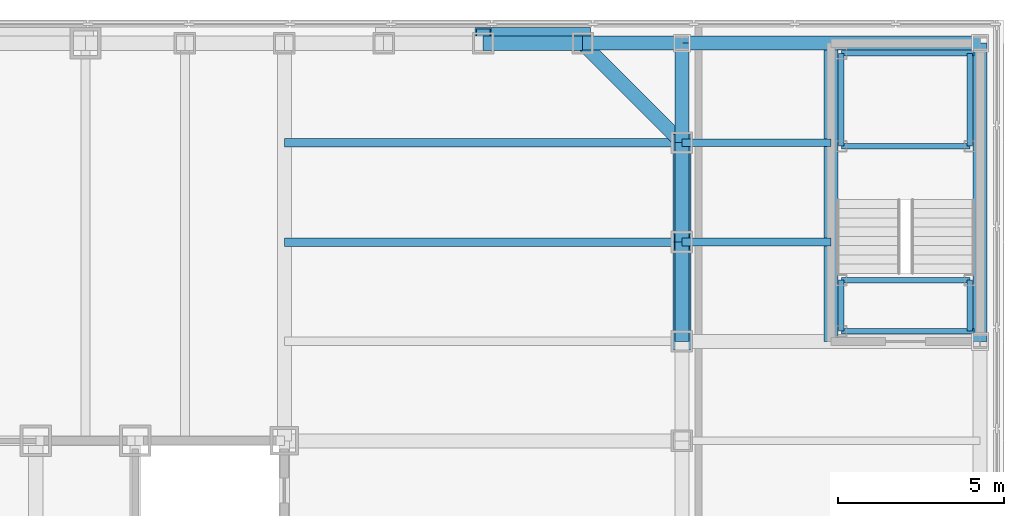
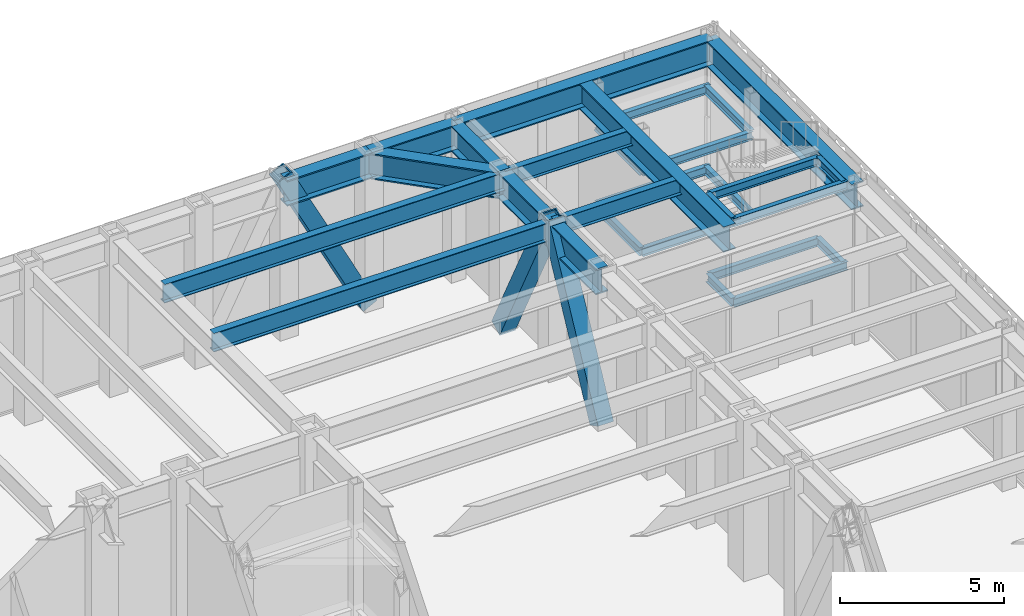
# One storey, part 8 of 32: 29 beams, 3 members.
"""IFC4 building model written with IfcOpenShell, lengths in metres."""

from ifc_helpers import new_model, si_unit, direction, frame, origin, origin_2d, place, context, subcontext, project, spatial, hollow_rectangle, i_section, extrude, material, material_profile, profile_set, type_object, element, save


model = new_model("IFC4")

# Units and contexts
model_context = context("Model", 3, precision=1e-05, world=origin(), true_north=direction((0.0, 1.0)))
body_context = subcontext(model_context, "Body", "Model", "MODEL_VIEW")
ifc_project = project(units=[si_unit("LENGTHUNIT", "METRE"), si_unit("AREAUNIT", "SQUARE_METRE"), si_unit("VOLUMEUNIT", "CUBIC_METRE"), si_unit("PLANEANGLEUNIT", "RADIAN"), si_unit("MASSUNIT", "GRAM", prefix="KILO")], contexts=[model_context])

# Site, building, storey
site_placement = place(None, origin())
site = spatial("IfcSite", under=ifc_project, at=site_placement, CompositionType="ELEMENT")
building_placement = place(site_placement, origin())
building = spatial("IfcBuilding", under=site, at=building_placement, Name="Chuquiago Exchange Tower", CompositionType="ELEMENT")
storey_placement = place(building_placement, frame((0.0, 0.0, 13.5)))
storey = spatial("IfcBuildingStorey", under=building, at=storey_placement, Name="L02", CompositionType="ELEMENT", Elevation=13.5)

# Beams
ifc_material_1 = material(Name="Steel ASTM A992", Category="steel")
ifc_material_profile_1 = material_profile(ifc_material_1, i_section(OverallWidth=0.256591796875, OverallDepth=0.693359375, WebThickness=0.014404296875, FlangeThickness=0.023681640625, at=origin_2d()), Name="W27X114")
ifc_profile_set_1 = profile_set([ifc_material_profile_1], Name="Steel ASTM A992")
beam_type_1 = type_object("IfcBeamType", Name="B9 W27X114", PredefinedType="BEAM", material=ifc_profile_set_1)
for number, where, z_axis, x_axis, name in (
    (1, (33.0, 39.0, 5.453369140625), (1.0, 0.0, 0.0), (0.0, 1.0, 0.0), "FB-L03-corner-33_39-45_39-0"),
    (2, (33.0, 42.0, 5.453369140625), (1.0, 0.0, 0.0), (0.0, 1.0, 0.0), "FB-L03-corner-33_42-45_42-0"),
):
    element("IfcBeam", number, at=place(storey_placement, frame(where, z_axis=z_axis, x_axis=x_axis)), inside=storey, type_object=beam_type_1, Name=name, PredefinedType="BEAM", context=body_context, shape_type="SweptSolid", body=[
        extrude(i_section(OverallWidth=0.256591796875, OverallDepth=0.693359375, WebThickness=0.014404296875, FlangeThickness=0.023681640625, at=origin_2d()), origin(), (0.0, 0.0, 1.0), 12.0),
    ])
ifc_material_2 = material(Name="Steel ASTM A992", Category="steel")
ifc_material_profile_2 = material_profile(ifc_material_2, i_section(OverallWidth=0.164794921875, OverallDepth=0.309814453125, WebThickness=0.005859375, FlangeThickness=0.009765625, at=origin_2d()), Name="W12X26")
ifc_profile_set_2 = profile_set([ifc_material_profile_2], Name="Steel ASTM A992")
beam_type_2 = type_object("IfcBeamType", Name="LS1 W12X26", PredefinedType="BEAM", material=ifc_profile_set_2)
for number, where, z_axis, x_axis, name in (
    (3, (49.81005859375, 41.889892578125, 1.14501953125), (0.0, 1.0, 0.0), (-1.0, 0.0, 0.0), "Stair PS4 L02 landing 1 stringer"),
    (4, (53.68994140625, 41.889892578125, 1.14501953125), (0.0, 1.0, 0.0), (-1.0, 0.0, 0.0), "Stair PS4 L02 landing 1 stringer"),
):
    element("IfcBeam", number, at=place(storey_placement, frame(where, z_axis=z_axis, x_axis=x_axis)), inside=storey, type_object=beam_type_2, Name=name, PredefinedType="BEAM", context=body_context, shape_type="SweptSolid", body=[
        extrude(i_section(OverallWidth=0.164794921875, OverallDepth=0.309814453125, WebThickness=0.005859375, FlangeThickness=0.009765625, at=origin_2d()), origin(), (0.0, 0.0, 1.0), 2.800048828125),
    ])
for number, where, z_axis, x_axis, name in (
    (5, (49.81005859375, 36.31005859375, 2.64501953125), (0.0, 1.0, 0.0), (-1.0, 0.0, 0.0), "Stair PS4 L02 landing 2 stringer"),
    (6, (53.68994140625, 36.31005859375, 2.64501953125), (0.0, 1.0, 0.0), (-1.0, 0.0, 0.0), "Stair PS4 L02 landing 2 stringer"),
):
    element("IfcBeam", number, at=place(storey_placement, frame(where, z_axis=z_axis, x_axis=x_axis)), inside=storey, type_object=beam_type_2, Name=name, PredefinedType="BEAM", context=body_context, shape_type="SweptSolid", body=[
        extrude(i_section(OverallWidth=0.164794921875, OverallDepth=0.309814453125, WebThickness=0.005859375, FlangeThickness=0.009765625, at=origin_2d()), origin(), (0.0, 0.0, 1.0), 1.5400390625),
    ])
for number, where, z_axis, x_axis, name in (
    (7, (49.81005859375, 41.889892578125, 4.14501953125), (0.0, 1.0, 0.0), (-1.0, 0.0, 0.0), "Stair PS4 L02 landing 3 stringer"),
    (8, (53.68994140625, 41.889892578125, 4.14501953125), (0.0, 1.0, 0.0), (-1.0, 0.0, 0.0), "Stair PS4 L02 landing 3 stringer"),
):
    element("IfcBeam", number, at=place(storey_placement, frame(where, z_axis=z_axis, x_axis=x_axis)), inside=storey, type_object=beam_type_2, Name=name, PredefinedType="BEAM", context=body_context, shape_type="SweptSolid", body=[
        extrude(i_section(OverallWidth=0.164794921875, OverallDepth=0.309814453125, WebThickness=0.005859375, FlangeThickness=0.009765625, at=origin_2d()), origin(), (0.0, 0.0, 1.0), 2.800048828125),
    ])
for number, where, z_axis, x_axis, name in (
    (9, (49.81005859375, 36.31005859375, 5.64501953125), (0.0, 1.0, 0.0), (-1.0, 0.0, 0.0), "Stair PS4 top landing stringer"),
    (10, (53.68994140625, 36.31005859375, 5.64501953125), (0.0, 1.0, 0.0), (-1.0, 0.0, 0.0), "Stair PS4 top landing stringer"),
):
    element("IfcBeam", number, at=place(storey_placement, frame(where, z_axis=z_axis, x_axis=x_axis)), inside=storey, type_object=beam_type_2, Name=name, PredefinedType="BEAM", context=body_context, shape_type="SweptSolid", body=[
        extrude(i_section(OverallWidth=0.164794921875, OverallDepth=0.309814453125, WebThickness=0.005859375, FlangeThickness=0.009765625, at=origin_2d()), origin(), (0.0, 0.0, 1.0), 1.5400390625),
    ])
ifc_material_3 = material(Name="Steel ASTM A992", Category="steel")
ifc_material_profile_3 = material_profile(ifc_material_3, i_section(OverallWidth=0.164794921875, OverallDepth=0.309814453125, WebThickness=0.005859375, FlangeThickness=0.009765625, at=origin_2d()), Name="W12X26")
ifc_profile_set_3 = profile_set([ifc_material_profile_3], Name="Steel ASTM A992")
beam_type_3 = type_object("IfcBeamType", Name="LT1 W12X26", PredefinedType="BEAM", material=ifc_profile_set_3)
beam_1_placement = place(storey_placement, frame((49.81005859375, 44.68994140625, 1.14501953125), z_axis=(1.0, 0.0, 0.0), x_axis=(0.0, 1.0, 0.0)))
element("IfcBeam", 11, at=beam_1_placement, inside=storey, type_object=beam_type_3, Name="Stair PS4 L02 landing 1 trimmer", PredefinedType="BEAM", context=body_context, shape_type="SweptSolid", body=[
    extrude(i_section(OverallWidth=0.164794921875, OverallDepth=0.309814453125, WebThickness=0.005859375, FlangeThickness=0.009765625, at=origin_2d()), origin(), (0.0, 0.0, 1.0), 4.004150390625),
])
for number, where, z_axis, x_axis, name in (
    (12, (49.81005859375, 41.889892578125, 1.14501953125), (1.0, 0.0, 0.0), (0.0, 1.0, 0.0), "Stair PS4 L02 landing 1 trimmer"),
    (13, (49.81005859375, 37.85009765625, 2.64501953125), (1.0, 0.0, 0.0), (0.0, 1.0, 0.0), "Stair PS4 L02 landing 2 trimmer"),
):
    element("IfcBeam", number, at=place(storey_placement, frame(where, z_axis=z_axis, x_axis=x_axis)), inside=storey, type_object=beam_type_3, Name=name, PredefinedType="BEAM", context=body_context, shape_type="SweptSolid", body=[
        extrude(i_section(OverallWidth=0.164794921875, OverallDepth=0.309814453125, WebThickness=0.005859375, FlangeThickness=0.009765625, at=origin_2d()), origin(), (0.0, 0.0, 1.0), 3.8798828125),
    ])
for number, where, z_axis, x_axis, name in (
    (14, (49.81005859375, 36.31005859375, 2.64501953125), (1.0, 0.0, 0.0), (0.0, 1.0, 0.0), "Stair PS4 L02 landing 2 trimmer"),
    (15, (49.81005859375, 44.68994140625, 4.14501953125), (1.0, 0.0, 0.0), (0.0, 1.0, 0.0), "Stair PS4 L02 landing 3 trimmer"),
):
    element("IfcBeam", number, at=place(storey_placement, frame(where, z_axis=z_axis, x_axis=x_axis)), inside=storey, type_object=beam_type_3, Name=name, PredefinedType="BEAM", context=body_context, shape_type="SweptSolid", body=[
        extrude(i_section(OverallWidth=0.164794921875, OverallDepth=0.309814453125, WebThickness=0.005859375, FlangeThickness=0.009765625, at=origin_2d()), origin(), (0.0, 0.0, 1.0), 4.004150390625),
    ])
for number, where, z_axis, x_axis, name in (
    (16, (49.81005859375, 41.889892578125, 4.14501953125), (1.0, 0.0, 0.0), (0.0, 1.0, 0.0), "Stair PS4 L02 landing 3 trimmer"),
    (17, (49.81005859375, 37.85009765625, 5.64501953125), (1.0, 0.0, 0.0), (0.0, 1.0, 0.0), "Stair PS4 top landing trimmer"),
):
    element("IfcBeam", number, at=place(storey_placement, frame(where, z_axis=z_axis, x_axis=x_axis)), inside=storey, type_object=beam_type_3, Name=name, PredefinedType="BEAM", context=body_context, shape_type="SweptSolid", body=[
        extrude(i_section(OverallWidth=0.164794921875, OverallDepth=0.309814453125, WebThickness=0.005859375, FlangeThickness=0.009765625, at=origin_2d()), origin(), (0.0, 0.0, 1.0), 3.8798828125),
    ])
beam_2_placement = place(storey_placement, frame((49.81005859375, 36.31005859375, 5.64501953125), z_axis=(1.0, 0.0, 0.0), x_axis=(0.0, 1.0, 0.0)))
element("IfcBeam", 18, at=beam_2_placement, inside=storey, type_object=beam_type_3, Name="Stair PS4 top landing trimmer", PredefinedType="BEAM", context=body_context, shape_type="SweptSolid", body=[
    extrude(i_section(OverallWidth=0.164794921875, OverallDepth=0.309814453125, WebThickness=0.005859375, FlangeThickness=0.009765625, at=origin_2d()), origin(), (0.0, 0.0, 1.0), 4.004150390625),
])

# Members
ifc_material_4 = material(Name="Steel ASTM A572 Grade 50", Category="steel")
ifc_material_profile_4 = material_profile(ifc_material_4, hollow_rectangle(XDim=0.550048828125, YDim=0.550048828125, WallThickness=0.044921875, at=origin_2d()), Name="BOX550X550X45")
ifc_profile_set_4 = profile_set([ifc_material_profile_4], Name="Steel ASTM A572 Grade 50")
member_type = type_object("IfcMemberType", Name="MB1 BOX550X550X45", PredefinedType="BRACE", material=ifc_profile_set_4)
for number, where, z_axis, x_axis, name in (
    (19, (45.0, 36.0, 0.0), (0.0, 0.456929540486, 0.889502892087), (-1.0, 0.0, 0.0), "Mega diagonal L02 E face"),
    (20, (45.0, 42.0, 0.0), (0.0, -0.456929540486, 0.889502892087), (1.0, 0.0, 0.0), "Mega diagonal L02 E face"),
    (21, (42.0, 45.205078125, 0.0), (-0.456929540486, 0.0, 0.889502892087), (0.0, -1.0, 0.0), "Mega diagonal L02 N face"),
):
    element("IfcMember", number, at=place(storey_placement, frame(where, z_axis=z_axis, x_axis=x_axis)), inside=storey, type_object=member_type, Name=name, PredefinedType="BRACE", context=body_context, shape_type="SweptSolid", body=[
        extrude(hollow_rectangle(XDim=0.550048828125, YDim=0.550048828125, WallThickness=0.044921875, at=origin_2d()), origin(), (0.0, 0.0, 1.0), 6.565673828125),
    ])

# Beams
ifc_material_5 = material(Name="Steel ASTM A992", Category="steel")
ifc_material_profile_5 = material_profile(ifc_material_5, i_section(OverallWidth=0.227783203125, OverallDepth=0.60205078125, WebThickness=0.010498046875, FlangeThickness=0.014892578125, at=origin_2d()), Name="W24X68")
ifc_profile_set_5 = profile_set([ifc_material_profile_5], Name="Steel ASTM A992")
beam_type_4 = type_object("IfcBeamType", Name="PB1 W24X68", PredefinedType="BEAM", material=ifc_profile_set_5)
for number, where, z_axis, x_axis, name in (
    (22, (45.0, 39.0, 5.4990234375), (1.0, 0.0, 0.0), (0.0, 1.0, 0.0), "PB-L03-45_39"),
    (23, (45.0, 42.0, 5.4990234375), (1.0, 0.0, 0.0), (0.0, 1.0, 0.0), "PB-L03-45_42"),
):
    element("IfcBeam", number, at=place(storey_placement, frame(where, z_axis=z_axis, x_axis=x_axis)), inside=storey, type_object=beam_type_4, Name=name, PredefinedType="BEAM", context=body_context, shape_type="SweptSolid", body=[
        extrude(i_section(OverallWidth=0.227783203125, OverallDepth=0.60205078125, WebThickness=0.010498046875, FlangeThickness=0.014892578125, at=origin_2d()), origin(), (0.0, 0.0, 1.0), 4.5),
    ])
ifc_material_6 = material(Name="Steel ASTM A992", Category="steel")
ifc_material_profile_6 = material_profile(ifc_material_6, i_section(OverallWidth=0.424072265625, OverallDepth=0.947509765625, WebThickness=0.02392578125, FlangeThickness=0.042724609375, at=origin_2d()), Name="W36X302")
ifc_profile_set_6 = profile_set([ifc_material_profile_6], Name="Steel ASTM A992")
beam_type_5 = type_object("IfcBeamType", Name="PG1 W36X302", PredefinedType="BEAM", material=ifc_profile_set_6)
beam_3_placement = place(storey_placement, frame((45.0, 42.0, 5.326416015625), z_axis=(0.0, 1.0, 0.0), x_axis=(-1.0, 0.0, 0.0)))
element("IfcBeam", 24, at=beam_3_placement, inside=storey, type_object=beam_type_5, Name="PG-L03-45_42-45_45", PredefinedType="BEAM", context=body_context, shape_type="SweptSolid", body=[
    extrude(i_section(OverallWidth=0.424072265625, OverallDepth=0.947509765625, WebThickness=0.02392578125, FlangeThickness=0.042724609375, at=origin_2d()), origin(), (0.0, 0.0, 1.0), 3.0),
])
beam_4_placement = place(storey_placement, frame((54.0, 36.0, 5.326416015625), z_axis=(0.0, 1.0, 0.0), x_axis=(-1.0, 0.0, 0.0)))
element("IfcBeam", 25, at=beam_4_placement, inside=storey, type_object=beam_type_5, Name="PG-L03-54_36-54_45", PredefinedType="BEAM", context=body_context, shape_type="SweptSolid", body=[
    extrude(i_section(OverallWidth=0.424072265625, OverallDepth=0.947509765625, WebThickness=0.02392578125, FlangeThickness=0.042724609375, at=origin_2d()), origin(), (0.0, 0.0, 1.0), 9.0),
])
beam_5_placement = place(storey_placement, frame((42.0, 45.0, 5.326416015625), z_axis=(1.0, 0.0, 0.0), x_axis=(0.0, 1.0, 0.0)))
element("IfcBeam", 26, at=beam_5_placement, inside=storey, type_object=beam_type_5, Name="PG-L03-42_45-45_45", PredefinedType="BEAM", context=body_context, shape_type="SweptSolid", body=[
    extrude(i_section(OverallWidth=0.424072265625, OverallDepth=0.947509765625, WebThickness=0.02392578125, FlangeThickness=0.042724609375, at=origin_2d()), origin(), (0.0, 0.0, 1.0), 3.0),
])
for number, where, z_axis, x_axis, name in (
    (27, (45.0, 45.0, 5.326416015625), (1.0, 0.0, 0.0), (0.0, 1.0, 0.0), "PG-L03-45_45-54_45"),
    (28, (49.5, 36.0, 5.326416015625), (0.0, 1.0, 0.0), (-1.0, 0.0, 0.0), "PT-L03-PS4"),
):
    element("IfcBeam", number, at=place(storey_placement, frame(where, z_axis=z_axis, x_axis=x_axis)), inside=storey, type_object=beam_type_5, Name=name, PredefinedType="BEAM", context=body_context, shape_type="SweptSolid", body=[
        extrude(i_section(OverallWidth=0.424072265625, OverallDepth=0.947509765625, WebThickness=0.02392578125, FlangeThickness=0.042724609375, at=origin_2d()), origin(), (0.0, 0.0, 1.0), 9.0),
    ])
ifc_material_7 = material(Name="Steel ASTM A992", Category="steel")
ifc_material_profile_7 = material_profile(ifc_material_7, i_section(OverallWidth=0.4267578125, OverallDepth=0.95751953125, WebThickness=0.028564453125, FlangeThickness=0.050048828125, at=origin_2d()), Name="W36X361")
ifc_profile_set_7 = profile_set([ifc_material_profile_7], Name="Steel ASTM A992")
beam_type_6 = type_object("IfcBeamType", Name="SP1 W36X361", PredefinedType="SPANDREL", material=ifc_profile_set_7)
for number, where, z_axis, x_axis, name in (
    (29, (45.0, 36.0, 5.3212890625), (0.0, 1.0, 0.0), (-1.0, 0.0, 0.0), "SPB-L03-45_36-45_39"),
    (30, (45.0, 39.0, 5.3212890625), (0.0, 1.0, 0.0), (-1.0, 0.0, 0.0), "SPB-L03-45_39-45_42"),
):
    element("IfcBeam", number, at=place(storey_placement, frame(where, z_axis=z_axis, x_axis=x_axis)), inside=storey, type_object=beam_type_6, Name=name, PredefinedType="SPANDREL", context=body_context, shape_type="SweptSolid", body=[
        extrude(i_section(OverallWidth=0.4267578125, OverallDepth=0.95751953125, WebThickness=0.028564453125, FlangeThickness=0.050048828125, at=origin_2d()), origin(), (0.0, 0.0, 1.0), 3.0),
    ])
beam_6_placement = place(storey_placement, frame((45.0, 42.0, 5.3212890625), z_axis=(-0.707106781187, 0.707106781187, 0.0), x_axis=(-0.707106781187, -0.707106781187, 0.0)))
element("IfcBeam", 31, at=beam_6_placement, inside=storey, type_object=beam_type_6, Name="SPB-L03-45_42-42_45", PredefinedType="SPANDREL", context=body_context, shape_type="SweptSolid", body=[
    extrude(i_section(OverallWidth=0.4267578125, OverallDepth=0.95751953125, WebThickness=0.028564453125, FlangeThickness=0.050048828125, at=origin_2d()), origin(), (0.0, 0.0, 1.0), 4.24267578125),
])
beam_7_placement = place(storey_placement, frame((42.0, 45.0, 5.3212890625), z_axis=(-1.0, 0.0, 0.0), x_axis=(0.0, -1.0, 0.0)))
element("IfcBeam", 32, at=beam_7_placement, inside=storey, type_object=beam_type_6, Name="SPB-L03-42_45-39_45", PredefinedType="SPANDREL", context=body_context, shape_type="SweptSolid", body=[
    extrude(i_section(OverallWidth=0.4267578125, OverallDepth=0.95751953125, WebThickness=0.028564453125, FlangeThickness=0.050048828125, at=origin_2d()), origin(), (0.0, 0.0, 1.0), 3.0),
])

save(model, "model.ifc")
